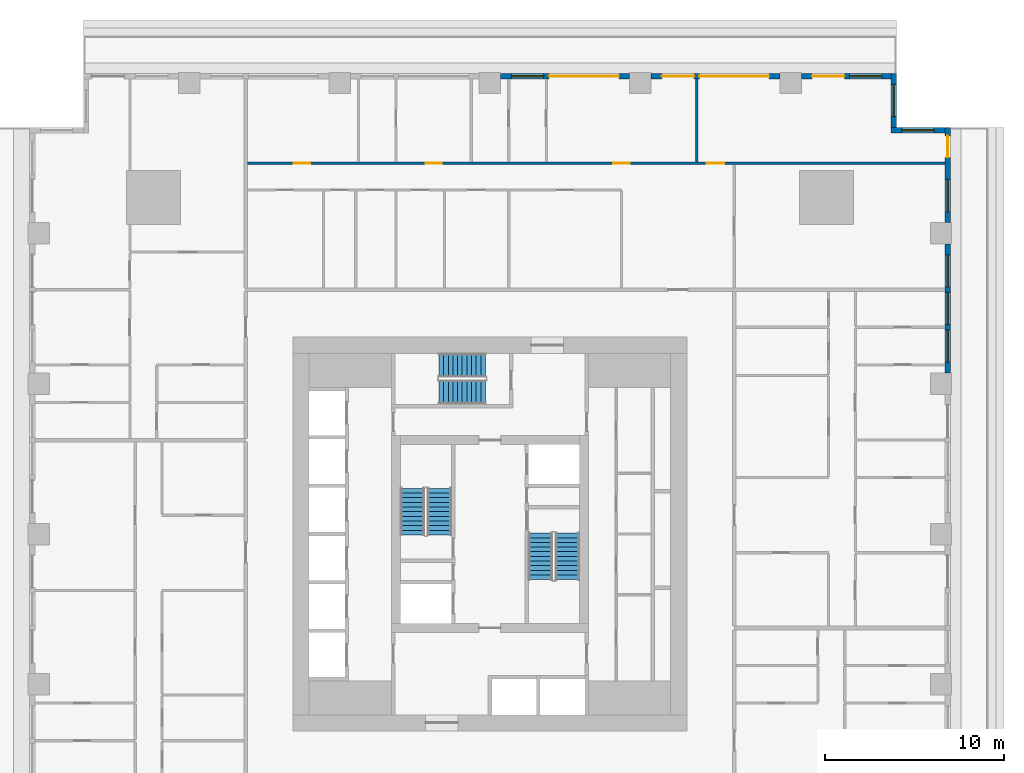
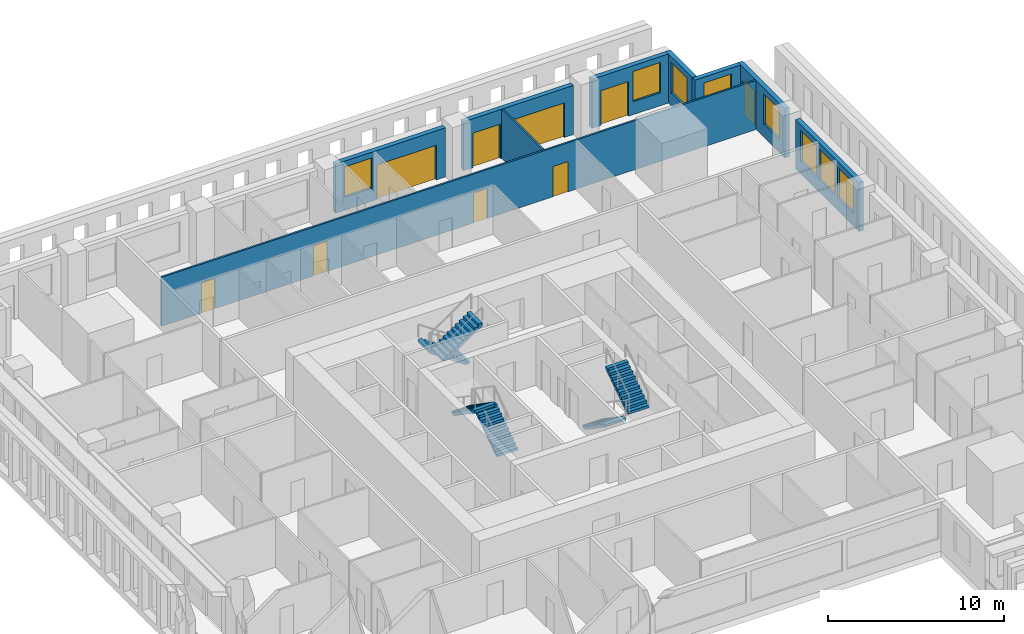
# One storey, part 9 of 14: 9 doors, 9 walls, 8 windows, 6 stair flights, 17 openings, 3 elements without a shape of their own.
"""IFC4 building model written with IfcOpenShell, lengths in metres."""

from ifc_helpers import new_model, si_unit, direction, frame, frame_2d, origin, place, context, subcontext, project, spatial, polyline, rectangle, outline, extrude, material, layer, layer_set, type_object, element, fill, aggregate, save


model = new_model("IFC4")

# Units and contexts
model_context = context("Model", 3, precision=1e-05, world=origin(), true_north=direction((0.0, 1.0)))
body_context = subcontext(model_context, "Body", "Model", "MODEL_VIEW")
ifc_project = project(units=[si_unit("LENGTHUNIT", "METRE"), si_unit("AREAUNIT", "SQUARE_METRE"), si_unit("VOLUMEUNIT", "CUBIC_METRE"), si_unit("PLANEANGLEUNIT", "RADIAN"), si_unit("MASSUNIT", "GRAM", prefix="KILO")], contexts=[model_context])

# Site, building, storey
site_placement = place(None, origin())
site = spatial("IfcSite", under=ifc_project, at=site_placement, CompositionType="ELEMENT")
building_placement = place(site_placement, origin())
building = spatial("IfcBuilding", under=site, at=building_placement, Name="Khepri Terraces", CompositionType="ELEMENT")
storey_placement = place(building_placement, frame((0.0, 0.0, 69.89990234375)))
storey = spatial("IfcBuildingStorey", under=building, at=storey_placement, Name="L16", CompositionType="ELEMENT", Elevation=69.89990234375)

# Wall, openings, windows
ifc_material_1 = material(Name="Precast concrete C50/60 warm stone", Category="masonry")
ifc_layer_1 = layer(ifc_material_1, 0.300048828125, Name="Precast concrete C50/60 warm stone", Category="masonry")
ifc_layer_set_1 = layer_set([ifc_layer_1], Name="Precast concrete C50/60 warm stone")
wall_type_1 = type_object("IfcWallType", Name="WL-EXT-PRECAST-300", PredefinedType="STANDARD", material=ifc_layer_set_1)
wall_1_placement = place(storey_placement, frame((25.570068359375, 9.0, 0.0), z_axis=(0.0, 0.0, 1.0), x_axis=(0.0, 1.0, 0.0)))
wall_1 = element("IfcWall", 1, at=wall_1_placement, inside=storey, type_object=wall_type_1, Name="External wall L16 E", PredefinedType="STANDARD", context=body_context, shape_type="SweptSolid", body=[
    extrude(rectangle(XDim=7.199951171875, YDim=0.300048828125, at=frame_2d((3.60009765625, 0.0))), origin(), (0.0, 0.0, 1.0), 3.400146484375),
])
opening_1_placement = place(wall_1_placement, frame((0.60009765625, 0.0, 0.89990234375)))
opening_1 = element("IfcOpeningElement", 2, at=opening_1_placement, cuts=wall_1, Name="Opening W1", PredefinedType="OPENING", context=body_context, shape_type="SweptSolid", body=[
    extrude(rectangle(XDim=1.800048828125, YDim=2.10009765625, at=frame_2d((0.89990234375, 1.050048828125))), frame((0.0, 0.16015625, 0.0), z_axis=(0.0, -1.0, 0.0), x_axis=(1.0, 0.0, 0.0)), (0.0, 0.0, 1.0), 0.320068359375),
])
opening_2_placement = place(wall_1_placement, frame((2.699951171875, 0.0, 0.89990234375)))
opening_2 = element("IfcOpeningElement", 3, at=opening_2_placement, cuts=wall_1, Name="Opening W1", PredefinedType="OPENING", context=body_context, shape_type="SweptSolid", body=[
    extrude(rectangle(XDim=1.800048828125, YDim=2.10009765625, at=frame_2d((0.89990234375, 1.050048828125))), frame((0.0, 0.16015625, 0.0), z_axis=(0.0, -1.0, 0.0), x_axis=(1.0, 0.0, 0.0)), (0.0, 0.0, 1.0), 0.320068359375),
])
opening_3_placement = place(wall_1_placement, frame((4.800048828125, 0.0, 0.89990234375)))
opening_3 = element("IfcOpeningElement", 4, at=opening_3_placement, cuts=wall_1, Name="Opening W1", PredefinedType="OPENING", context=body_context, shape_type="SweptSolid", body=[
    extrude(rectangle(XDim=1.800048828125, YDim=2.10009765625, at=frame_2d((0.89990234375, 1.050048828125))), frame((0.0, 0.16015625, 0.0), z_axis=(0.0, -1.0, 0.0), x_axis=(1.0, 0.0, 0.0)), (0.0, 0.0, 1.0), 0.320068359375),
])
ifc_material_2 = material(Name="Clear glass", Category="glass")
window_type = type_object("IfcWindowType", Name="WIN-RES-1800x2100", PartitioningType="SINGLE_PANEL", PredefinedType="WINDOW", material=ifc_material_2)
window_1_placement = place(opening_1_placement, origin())
window_1 = element("IfcWindow", 5, at=window_1_placement, inside=storey, type_object=window_type, Name="Window L16 E", OverallHeight=2.10009765625, OverallWidth=1.800048828125, PartitioningType="SINGLE_PANEL", PredefinedType="WINDOW", context=body_context, shape_type="SweptSolid", body=[
    extrude(rectangle(XDim=1.800048828125, YDim=2.10009765625, at=frame_2d((0.89990234375, 1.050048828125))), frame((0.0, 0.030029296875, 0.0), z_axis=(0.0, -1.0, 0.0), x_axis=(1.0, 0.0, 0.0)), (0.0, 0.0, 1.0), 0.06005859375),
])
fill(opening_1, window_1)
window_2_placement = place(opening_2_placement, origin())
window_2 = element("IfcWindow", 6, at=window_2_placement, inside=storey, type_object=window_type, Name="Window L16 E", OverallHeight=2.10009765625, OverallWidth=1.800048828125, PartitioningType="SINGLE_PANEL", PredefinedType="WINDOW", context=body_context, shape_type="SweptSolid", body=[
    extrude(rectangle(XDim=1.800048828125, YDim=2.10009765625, at=frame_2d((0.89990234375, 1.050048828125))), frame((0.0, 0.030029296875, 0.0), z_axis=(0.0, -1.0, 0.0), x_axis=(1.0, 0.0, 0.0)), (0.0, 0.0, 1.0), 0.06005859375),
])
fill(opening_2, window_2)
window_3_placement = place(opening_3_placement, origin())
window_3 = element("IfcWindow", 7, at=window_3_placement, inside=storey, type_object=window_type, Name="Window L16 E", OverallHeight=2.10009765625, OverallWidth=1.800048828125, PartitioningType="SINGLE_PANEL", PredefinedType="WINDOW", context=body_context, shape_type="SweptSolid", body=[
    extrude(rectangle(XDim=1.800048828125, YDim=2.10009765625, at=frame_2d((0.89990234375, 1.050048828125))), frame((0.0, 0.030029296875, 0.0), z_axis=(0.0, -1.0, 0.0), x_axis=(1.0, 0.0, 0.0)), (0.0, 0.0, 1.0), 0.06005859375),
])
fill(opening_3, window_3)

# Wall, openings, door, window
wall_2_placement = place(storey_placement, frame((25.570068359375, 17.39990234375, 0.0), z_axis=(0.0, 0.0, 1.0), x_axis=(0.0, 1.0, 0.0)))
wall_2 = element("IfcWall", 8, at=wall_2_placement, inside=storey, type_object=wall_type_1, Name="External wall L16 E", PredefinedType="STANDARD", context=body_context, shape_type="SweptSolid", body=[
    extrude(rectangle(XDim=5.320068359375, YDim=0.300048828125, at=frame_2d((2.66015625, 0.0))), origin(), (0.0, 0.0, 1.0), 3.400146484375),
])
opening_4_placement = place(wall_2_placement, frame((0.60009765625, 0.0, 0.89990234375)))
opening_4 = element("IfcOpeningElement", 9, at=opening_4_placement, cuts=wall_2, Name="Opening W1", PredefinedType="OPENING", context=body_context, shape_type="SweptSolid", body=[
    extrude(rectangle(XDim=1.800048828125, YDim=2.10009765625, at=frame_2d((0.89990234375, 1.050048828125))), frame((0.0, 0.16015625, 0.0), z_axis=(0.0, -1.0, 0.0), x_axis=(1.0, 0.0, 0.0)), (0.0, 0.0, 1.0), 0.320068359375),
])
opening_5_placement = place(wall_2_placement, frame((3.64501953125, 0.0, 0.0)))
opening_5 = element("IfcOpeningElement", 10, at=opening_5_placement, cuts=wall_2, Name="Opening ED-L16-06", PredefinedType="OPENING", context=body_context, shape_type="SweptSolid", body=[
    extrude(rectangle(XDim=1.199951171875, YDim=2.39990234375, at=frame_2d((0.60009765625, 1.199951171875))), frame((0.0, 0.16015625, 0.0), z_axis=(0.0, -1.0, 0.0), x_axis=(1.0, 0.0, 0.0)), (0.0, 0.0, 1.0), 0.320068359375),
])
ifc_material_3 = material(Name="Anodised aluminium bronze glazed door", Category="aluminium")
door_type_1 = type_object("IfcDoorType", Name="DR-BAL-SLIDE-1200x2400", OperationType="NOTDEFINED", PredefinedType="DOOR", material=ifc_material_3)
door_1_placement = place(opening_5_placement, origin())
door_1 = element("IfcDoor", 11, at=door_1_placement, inside=storey, type_object=door_type_1, Name="Balcony door L16 E", OperationType="SLIDING_TO_RIGHT", OverallHeight=2.39990234375, OverallWidth=1.199951171875, PredefinedType="DOOR", context=body_context, shape_type="SweptSolid", body=[
    extrude(rectangle(XDim=1.199951171875, YDim=2.39990234375, at=frame_2d((0.60009765625, 1.199951171875))), frame((0.0, 0.02490234375, 0.0), z_axis=(0.0, -1.0, 0.0), x_axis=(1.0, 0.0, 0.0)), (0.0, 0.0, 1.0), 0.050048828125),
])
fill(opening_5, door_1)
window_4_placement = place(opening_4_placement, origin())
window_4 = element("IfcWindow", 12, at=window_4_placement, inside=storey, type_object=window_type, Name="Window L16 E", OverallHeight=2.10009765625, OverallWidth=1.800048828125, PartitioningType="SINGLE_PANEL", PredefinedType="WINDOW", context=body_context, shape_type="SweptSolid", body=[
    extrude(rectangle(XDim=1.800048828125, YDim=2.10009765625, at=frame_2d((0.89990234375, 1.050048828125))), frame((0.0, 0.030029296875, 0.0), z_axis=(0.0, -1.0, 0.0), x_axis=(1.0, 0.0, 0.0)), (0.0, 0.0, 1.0), 0.06005859375),
])
fill(opening_4, window_4)

# Wall, opening, window
wall_3_placement = place(storey_placement, frame((25.419921875, 22.570068359375, 0.0), z_axis=(0.0, 0.0, 1.0), x_axis=(-1.0, 0.0, 0.0)))
wall_3 = element("IfcWall", 13, at=wall_3_placement, inside=storey, type_object=wall_type_1, Name="External wall L16 N", PredefinedType="STANDARD", context=body_context, shape_type="SweptSolid", body=[
    extrude(rectangle(XDim=3.0, YDim=0.300048828125, at=frame_2d((1.5, 0.0))), origin(), (0.0, 0.0, 1.0), 3.400146484375),
])
opening_6_placement = place(wall_3_placement, frame((0.60009765625, 0.0, 0.89990234375)))
opening_6 = element("IfcOpeningElement", 14, at=opening_6_placement, cuts=wall_3, Name="Opening W1", PredefinedType="OPENING", context=body_context, shape_type="SweptSolid", body=[
    extrude(rectangle(XDim=1.800048828125, YDim=2.10009765625, at=frame_2d((0.89990234375, 1.050048828125))), frame((0.0, 0.16015625, 0.0), z_axis=(0.0, -1.0, 0.0), x_axis=(1.0, 0.0, 0.0)), (0.0, 0.0, 1.0), 0.320068359375),
])
window_5_placement = place(opening_6_placement, origin())
window_5 = element("IfcWindow", 15, at=window_5_placement, inside=storey, type_object=window_type, Name="Window L16 N", OverallHeight=2.10009765625, OverallWidth=1.800048828125, PartitioningType="SINGLE_PANEL", PredefinedType="WINDOW", context=body_context, shape_type="SweptSolid", body=[
    extrude(rectangle(XDim=1.800048828125, YDim=2.10009765625, at=frame_2d((0.89990234375, 1.050048828125))), frame((0.0, 0.030029296875, 0.0), z_axis=(0.0, -1.0, 0.0), x_axis=(1.0, 0.0, 0.0)), (0.0, 0.0, 1.0), 0.06005859375),
])
fill(opening_6, window_5)

wall_4_placement = place(storey_placement, frame((22.570068359375, 22.719970703125, 0.0), z_axis=(0.0, 0.0, 1.0), x_axis=(0.0, 1.0, 0.0)))
wall_4 = element("IfcWall", 16, at=wall_4_placement, inside=storey, type_object=wall_type_1, Name="External wall L16 E", PredefinedType="STANDARD", context=body_context, shape_type="SweptSolid", body=[
    extrude(rectangle(XDim=3.0, YDim=0.300048828125, at=frame_2d((1.5, 0.0))), origin(), (0.0, 0.0, 1.0), 3.400146484375),
])
opening_7_placement = place(wall_4_placement, frame((0.60009765625, 0.0, 0.89990234375)))
opening_7 = element("IfcOpeningElement", 17, at=opening_7_placement, cuts=wall_4, Name="Opening W1", PredefinedType="OPENING", context=body_context, shape_type="SweptSolid", body=[
    extrude(rectangle(XDim=1.800048828125, YDim=2.10009765625, at=frame_2d((0.89990234375, 1.050048828125))), frame((0.0, 0.16015625, 0.0), z_axis=(0.0, -1.0, 0.0), x_axis=(1.0, 0.0, 0.0)), (0.0, 0.0, 1.0), 0.320068359375),
])
window_6_placement = place(opening_7_placement, origin())
window_6 = element("IfcWindow", 18, at=window_6_placement, inside=storey, type_object=window_type, Name="Window L16 E", OverallHeight=2.10009765625, OverallWidth=1.800048828125, PartitioningType="SINGLE_PANEL", PredefinedType="WINDOW", context=body_context, shape_type="SweptSolid", body=[
    extrude(rectangle(XDim=1.800048828125, YDim=2.10009765625, at=frame_2d((0.89990234375, 1.050048828125))), frame((0.0, 0.030029296875, 0.0), z_axis=(0.0, -1.0, 0.0), x_axis=(1.0, 0.0, 0.0)), (0.0, 0.0, 1.0), 0.06005859375),
])
fill(opening_7, window_6)

# Wall, openings, door, window
wall_5_placement = place(storey_placement, frame((22.419921875, 25.570068359375, 0.0), z_axis=(0.0, 0.0, 1.0), x_axis=(-1.0, 0.0, 0.0)))
wall_5 = element("IfcWall", 19, at=wall_5_placement, inside=storey, type_object=wall_type_1, Name="External wall L16 N", PredefinedType="STANDARD", context=body_context, shape_type="SweptSolid", body=[
    extrude(rectangle(XDim=5.02001953125, YDim=0.300048828125, at=frame_2d((2.510009765625, 0.0))), origin(), (0.0, 0.0, 1.0), 3.400146484375),
])
opening_8_placement = place(wall_5_placement, frame((0.52001953125, 0.0, 0.89990234375)))
opening_8 = element("IfcOpeningElement", 20, at=opening_8_placement, cuts=wall_5, Name="Opening W1", PredefinedType="OPENING", context=body_context, shape_type="SweptSolid", body=[
    extrude(rectangle(XDim=1.800048828125, YDim=2.10009765625, at=frame_2d((0.89990234375, 1.050048828125))), frame((0.0, 0.16015625, 0.0), z_axis=(0.0, -1.0, 0.0), x_axis=(1.0, 0.0, 0.0)), (0.0, 0.0, 1.0), 0.320068359375),
])
opening_9_placement = place(wall_5_placement, frame((2.6201171875, 0.0, 0.0)))
opening_9 = element("IfcOpeningElement", 21, at=opening_9_placement, cuts=wall_5, Name="Opening ED-L16-07", PredefinedType="OPENING", context=body_context, shape_type="SweptSolid", body=[
    extrude(rectangle(XDim=1.800048828125, YDim=2.39990234375, at=frame_2d((0.89990234375, 1.199951171875))), frame((0.0, 0.16015625, 0.0), z_axis=(0.0, -1.0, 0.0), x_axis=(1.0, 0.0, 0.0)), (0.0, 0.0, 1.0), 0.320068359375),
])
door_type_2 = type_object("IfcDoorType", Name="DR-BAL-SLIDE-1800x2400", OperationType="NOTDEFINED", PredefinedType="DOOR", material=ifc_material_3)
door_2_placement = place(opening_9_placement, origin())
door_2 = element("IfcDoor", 22, at=door_2_placement, inside=storey, type_object=door_type_2, Name="Balcony door L16 N", OperationType="SLIDING_TO_RIGHT", OverallHeight=2.39990234375, OverallWidth=1.800048828125, PredefinedType="DOOR", context=body_context, shape_type="SweptSolid", body=[
    extrude(rectangle(XDim=1.800048828125, YDim=2.39990234375, at=frame_2d((0.89990234375, 1.199951171875))), frame((0.0, 0.02490234375, 0.0), z_axis=(0.0, -1.0, 0.0), x_axis=(1.0, 0.0, 0.0)), (0.0, 0.0, 1.0), 0.050048828125),
])
fill(opening_9, door_2)
window_7_placement = place(opening_8_placement, origin())
window_7 = element("IfcWindow", 23, at=window_7_placement, inside=storey, type_object=window_type, Name="Window L16 N", OverallHeight=2.10009765625, OverallWidth=1.800048828125, PartitioningType="SINGLE_PANEL", PredefinedType="WINDOW", context=body_context, shape_type="SweptSolid", body=[
    extrude(rectangle(XDim=1.800048828125, YDim=2.10009765625, at=frame_2d((0.89990234375, 1.050048828125))), frame((0.0, 0.030029296875, 0.0), z_axis=(0.0, -1.0, 0.0), x_axis=(1.0, 0.0, 0.0)), (0.0, 0.0, 1.0), 0.06005859375),
])
fill(opening_8, window_7)

# Wall, openings, doors
wall_6_placement = place(storey_placement, frame((16.199951171875, 25.570068359375, 0.0), z_axis=(0.0, 0.0, 1.0), x_axis=(-1.0, 0.0, 0.0)))
wall_6 = element("IfcWall", 24, at=wall_6_placement, inside=storey, type_object=wall_type_1, Name="External wall L16 N", PredefinedType="STANDARD", context=body_context, shape_type="SweptSolid", body=[
    extrude(rectangle(XDim=7.199951171875, YDim=0.300048828125, at=frame_2d((3.60009765625, 0.0))), origin(), (0.0, 0.0, 1.0), 3.400146484375),
])
opening_10_placement = place(wall_6_placement, frame((0.60009765625, 0.0, 0.0)))
opening_10 = element("IfcOpeningElement", 25, at=opening_10_placement, cuts=wall_6, Name="Opening ED-L16-08", PredefinedType="OPENING", context=body_context, shape_type="SweptSolid", body=[
    extrude(rectangle(XDim=3.89990234375, YDim=2.39990234375, at=frame_2d((1.949951171875, 1.199951171875))), frame((0.0, 0.16015625, 0.0), z_axis=(0.0, -1.0, 0.0), x_axis=(1.0, 0.0, 0.0)), (0.0, 0.0, 1.0), 0.320068359375),
])
opening_11_placement = place(wall_6_placement, frame((4.800048828125, 0.0, 0.0)))
opening_11 = element("IfcOpeningElement", 26, at=opening_11_placement, cuts=wall_6, Name="Opening ED-L16-09", PredefinedType="OPENING", context=body_context, shape_type="SweptSolid", body=[
    extrude(rectangle(XDim=1.800048828125, YDim=2.39990234375, at=frame_2d((0.89990234375, 1.199951171875))), frame((0.0, 0.16015625, 0.0), z_axis=(0.0, -1.0, 0.0), x_axis=(1.0, 0.0, 0.0)), (0.0, 0.0, 1.0), 0.320068359375),
])
door_3_placement = place(opening_11_placement, origin())
door_3 = element("IfcDoor", 27, at=door_3_placement, inside=storey, type_object=door_type_2, Name="Balcony door L16 N", OperationType="SLIDING_TO_RIGHT", OverallHeight=2.39990234375, OverallWidth=1.800048828125, PredefinedType="DOOR", context=body_context, shape_type="SweptSolid", body=[
    extrude(rectangle(XDim=1.800048828125, YDim=2.39990234375, at=frame_2d((0.89990234375, 1.199951171875))), frame((0.0, 0.02490234375, 0.0), z_axis=(0.0, -1.0, 0.0), x_axis=(1.0, 0.0, 0.0)), (0.0, 0.0, 1.0), 0.050048828125),
])
fill(opening_11, door_3)
door_type_3 = type_object("IfcDoorType", Name="DR-BAL-SLIDE-3900x2400", OperationType="NOTDEFINED", PredefinedType="DOOR", material=ifc_material_3)
door_4_placement = place(opening_10_placement, origin())
door_4 = element("IfcDoor", 28, at=door_4_placement, inside=storey, type_object=door_type_3, Name="Balcony door L16 N", OperationType="SLIDING_TO_LEFT", OverallHeight=2.39990234375, OverallWidth=3.89990234375, PredefinedType="DOOR", context=body_context, shape_type="SweptSolid", body=[
    extrude(rectangle(XDim=3.89990234375, YDim=2.39990234375, at=frame_2d((1.949951171875, 1.199951171875))), frame((0.0, 0.02490234375, 0.0), z_axis=(0.0, -1.0, 0.0), x_axis=(1.0, 0.0, 0.0)), (0.0, 0.0, 1.0), 0.050048828125),
])
fill(opening_10, door_4)

# Wall, openings, door, window
wall_7_placement = place(storey_placement, frame((7.800048828125, 25.570068359375, 0.0), z_axis=(0.0, 0.0, 1.0), x_axis=(-1.0, 0.0, 0.0)))
wall_7 = element("IfcWall", 29, at=wall_7_placement, inside=storey, type_object=wall_type_1, Name="External wall L16 N", PredefinedType="STANDARD", context=body_context, shape_type="SweptSolid", body=[
    extrude(rectangle(XDim=7.199951171875, YDim=0.300048828125, at=frame_2d((3.60009765625, 0.0))), origin(), (0.0, 0.0, 1.0), 3.400146484375),
])
opening_12_placement = place(wall_7_placement, frame((0.60009765625, 0.0, 0.0)))
opening_12 = element("IfcOpeningElement", 30, at=opening_12_placement, cuts=wall_7, Name="Opening ED-L16-10", PredefinedType="OPENING", context=body_context, shape_type="SweptSolid", body=[
    extrude(rectangle(XDim=3.89990234375, YDim=2.39990234375, at=frame_2d((1.949951171875, 1.199951171875))), frame((0.0, 0.16015625, 0.0), z_axis=(0.0, -1.0, 0.0), x_axis=(1.0, 0.0, 0.0)), (0.0, 0.0, 1.0), 0.320068359375),
])
opening_13_placement = place(wall_7_placement, frame((4.800048828125, 0.0, 0.89990234375)))
opening_13 = element("IfcOpeningElement", 31, at=opening_13_placement, cuts=wall_7, Name="Opening W1", PredefinedType="OPENING", context=body_context, shape_type="SweptSolid", body=[
    extrude(rectangle(XDim=1.800048828125, YDim=2.10009765625, at=frame_2d((0.89990234375, 1.050048828125))), frame((0.0, 0.16015625, 0.0), z_axis=(0.0, -1.0, 0.0), x_axis=(1.0, 0.0, 0.0)), (0.0, 0.0, 1.0), 0.320068359375),
])
door_5_placement = place(opening_12_placement, origin())
door_5 = element("IfcDoor", 32, at=door_5_placement, inside=storey, type_object=door_type_3, Name="Balcony door L16 N", OperationType="SLIDING_TO_LEFT", OverallHeight=2.39990234375, OverallWidth=3.89990234375, PredefinedType="DOOR", context=body_context, shape_type="SweptSolid", body=[
    extrude(rectangle(XDim=3.89990234375, YDim=2.39990234375, at=frame_2d((1.949951171875, 1.199951171875))), frame((0.0, 0.02490234375, 0.0), z_axis=(0.0, -1.0, 0.0), x_axis=(1.0, 0.0, 0.0)), (0.0, 0.0, 1.0), 0.050048828125),
])
fill(opening_12, door_5)
window_8_placement = place(opening_13_placement, origin())
window_8 = element("IfcWindow", 33, at=window_8_placement, inside=storey, type_object=window_type, Name="Window L16 N", OverallHeight=2.10009765625, OverallWidth=1.800048828125, PartitioningType="SINGLE_PANEL", PredefinedType="WINDOW", context=body_context, shape_type="SweptSolid", body=[
    extrude(rectangle(XDim=1.800048828125, YDim=2.10009765625, at=frame_2d((0.89990234375, 1.050048828125))), frame((0.0, 0.030029296875, 0.0), z_axis=(0.0, -1.0, 0.0), x_axis=(1.0, 0.0, 0.0)), (0.0, 0.0, 1.0), 0.06005859375),
])
fill(opening_13, window_8)

# Wall, openings, doors
ifc_material_4 = material(Name="Gypsum plasterboard partition")
ifc_layer_2 = layer(ifc_material_4, 0.1201171875, Name="Gypsum plasterboard partition")
ifc_layer_set_2 = layer_set([ifc_layer_2], Name="Gypsum plasterboard partition")
wall_type_2 = type_object("IfcWallType", Name="WL-PART-120", PredefinedType="PARTITIONING", material=ifc_layer_set_2)
wall_8_placement = place(storey_placement, frame((-13.550048828125, 20.719970703125, 0.0), z_axis=(0.0, 0.0, 1.0), x_axis=(1.0, 0.0, 0.0)))
wall_8 = element("IfcWall", 34, at=wall_8_placement, inside=storey, type_object=wall_type_2, Name="Partition P-093 L16", PredefinedType="PARTITIONING", context=body_context, shape_type="SweptSolid", body=[
    extrude(rectangle(XDim=38.969970703125, YDim=0.1201171875, at=frame_2d((19.48486328125, 0.0))), origin(), (0.0, 0.0, 1.0), 3.400146484375),
])
opening_14_placement = place(wall_8_placement, frame((25.64990234375, 0.0, 0.0)))
opening_14 = element("IfcOpeningElement", 35, at=opening_14_placement, cuts=wall_8, Name="Opening D2", PredefinedType="OPENING", context=body_context, shape_type="SweptSolid", body=[
    extrude(rectangle(XDim=1.0, YDim=2.10009765625, at=frame_2d((0.5, 1.050048828125))), frame((0.0, 0.070068359375, 0.0), z_axis=(0.0, -1.0, 0.0), x_axis=(1.0, 0.0, 0.0)), (0.0, 0.0, 1.0), 0.14013671875),
])
opening_15_placement = place(wall_8_placement, frame((20.449951171875, 0.0, 0.0)))
opening_15 = element("IfcOpeningElement", 36, at=opening_15_placement, cuts=wall_8, Name="Opening D3", PredefinedType="OPENING", context=body_context, shape_type="SweptSolid", body=[
    extrude(rectangle(XDim=0.89990234375, YDim=2.10009765625, at=frame_2d((0.449951171875, 1.050048828125))), frame((0.0, 0.070068359375, 0.0), z_axis=(0.0, -1.0, 0.0), x_axis=(1.0, 0.0, 0.0)), (0.0, 0.0, 1.0), 0.14013671875),
])
opening_16_placement = place(wall_8_placement, frame((9.949951171875, 0.0, 0.0)))
opening_16 = element("IfcOpeningElement", 37, at=opening_16_placement, cuts=wall_8, Name="Opening D3", PredefinedType="OPENING", context=body_context, shape_type="SweptSolid", body=[
    extrude(rectangle(XDim=0.89990234375, YDim=2.10009765625, at=frame_2d((0.449951171875, 1.050048828125))), frame((0.0, 0.070068359375, 0.0), z_axis=(0.0, -1.0, 0.0), x_axis=(1.0, 0.0, 0.0)), (0.0, 0.0, 1.0), 0.14013671875),
])
opening_17_placement = place(wall_8_placement, frame((2.60009765625, 0.0, 0.0)))
opening_17 = element("IfcOpeningElement", 38, at=opening_17_placement, cuts=wall_8, Name="Opening D3", PredefinedType="OPENING", context=body_context, shape_type="SweptSolid", body=[
    extrude(rectangle(XDim=0.89990234375, YDim=2.10009765625, at=frame_2d((0.449951171875, 1.050048828125))), frame((0.0, 0.070068359375, 0.0), z_axis=(0.0, -1.0, 0.0), x_axis=(1.0, 0.0, 0.0)), (0.0, 0.0, 1.0), 0.14013671875),
])
ifc_material_5 = material(Name="Timber door leaf, living room door", Category="wood")
door_type_4 = type_object("IfcDoorType", Name="DR-INT-1000", OperationType="NOTDEFINED", PredefinedType="DOOR", material=ifc_material_5)
door_6_placement = place(opening_14_placement, origin())
door_6 = element("IfcDoor", 39, at=door_6_placement, inside=storey, type_object=door_type_4, Name="Door Living Room", OperationType="SINGLE_SWING_RIGHT", OverallHeight=2.10009765625, OverallWidth=1.0, PredefinedType="DOOR", context=body_context, shape_type="SweptSolid", body=[
    extrude(rectangle(XDim=1.0, YDim=2.10009765625, at=frame_2d((0.5, 1.050048828125))), frame((0.0, 0.02490234375, 0.0), z_axis=(0.0, -1.0, 0.0), x_axis=(1.0, 0.0, 0.0)), (0.0, 0.0, 1.0), 0.050048828125),
])
fill(opening_14, door_6)
ifc_material_6 = material(Name="Timber door leaf", Category="wood")
door_type_5 = type_object("IfcDoorType", Name="DR-INT-900", OperationType="NOTDEFINED", PredefinedType="DOOR", material=ifc_material_6)
door_7_placement = place(opening_15_placement, origin())
door_7 = element("IfcDoor", 40, at=door_7_placement, inside=storey, type_object=door_type_5, Name="Door Master Bedroom", OperationType="SINGLE_SWING_RIGHT", OverallHeight=2.10009765625, OverallWidth=0.89990234375, PredefinedType="DOOR", context=body_context, shape_type="SweptSolid", body=[
    extrude(rectangle(XDim=0.89990234375, YDim=2.10009765625, at=frame_2d((0.449951171875, 1.050048828125))), frame((0.0, 0.02490234375, 0.0), z_axis=(0.0, -1.0, 0.0), x_axis=(1.0, 0.0, 0.0)), (0.0, 0.0, 1.0), 0.050048828125),
])
fill(opening_15, door_7)
door_8_placement = place(opening_16_placement, origin())
door_8 = element("IfcDoor", 41, at=door_8_placement, inside=storey, type_object=door_type_5, Name="Door Bedroom", OperationType="SINGLE_SWING_LEFT", OverallHeight=2.10009765625, OverallWidth=0.89990234375, PredefinedType="DOOR", context=body_context, shape_type="SweptSolid", body=[
    extrude(rectangle(XDim=0.89990234375, YDim=2.10009765625, at=frame_2d((0.449951171875, 1.050048828125))), frame((0.0, 0.02490234375, 0.0), z_axis=(0.0, -1.0, 0.0), x_axis=(1.0, 0.0, 0.0)), (0.0, 0.0, 1.0), 0.050048828125),
])
fill(opening_16, door_8)
door_9_placement = place(opening_17_placement, origin())
door_9 = element("IfcDoor", 42, at=door_9_placement, inside=storey, type_object=door_type_5, Name="Door Home Gym", OperationType="SINGLE_SWING_LEFT", OverallHeight=2.10009765625, OverallWidth=0.89990234375, PredefinedType="DOOR", context=body_context, shape_type="SweptSolid", body=[
    extrude(rectangle(XDim=0.89990234375, YDim=2.10009765625, at=frame_2d((0.449951171875, 1.050048828125))), frame((0.0, 0.02490234375, 0.0), z_axis=(0.0, -1.0, 0.0), x_axis=(1.0, 0.0, 0.0)), (0.0, 0.0, 1.0), 0.050048828125),
])
fill(opening_17, door_9)

# Wall
wall_9_placement = place(storey_placement, frame((11.550048828125, 20.780029296875, 0.0), z_axis=(0.0, 0.0, 1.0), x_axis=(0.0, 1.0, 0.0)))
element("IfcWall", 43, at=wall_9_placement, inside=storey, type_object=wall_type_2, Name="Partition P-099 L16", PredefinedType="PARTITIONING", context=body_context, shape_type="SweptSolid", body=[
    extrude(rectangle(XDim=4.639892578125, YDim=0.1201171875, at=frame_2d((2.31982421875, 0.0))), origin(), (0.0, 0.0, 1.0), 3.400146484375),
])

# Stair, stair flights
ifc_material_7 = material(Name="Concrete C40/50", Category="concrete")
stair_type = type_object("IfcStairType", Name="STAIR-RC-22R", PredefinedType="HALF_TURN_STAIR", material=ifc_material_7)
stair_1_placement = place(storey_placement, origin())
stair_1 = element("IfcStair", 44, at=stair_1_placement, inside=storey, type_object=stair_type, Name="L16 Exit Stair ST-1", PredefinedType="HALF_TURN_STAIR")
stair_flight_type = type_object("IfcStairFlightType", Name="SFL-RC-177.3", PredefinedType="STRAIGHT", material=ifc_material_7)
stair_flight_1_placement = place(storey_placement, frame((-2.824951171875, -0.050048828125, 0.0), z_axis=(0.0, 0.0, 1.0), x_axis=(0.0, 1.0, 0.0)))
stair_flight_1 = element("IfcStairFlight", 45, at=stair_flight_1_placement, type_object=stair_flight_type, Name="ST-1 flight 1", NumberOfRisers=11, NumberOfTreads=10, PredefinedType="STRAIGHT", RiserHeight=0.177272727, TreadLength=0.26, context=body_context, shape_type="SweptSolid", body=[
    extrude(outline(polyline([(0.0, 0.0), (0.0, 0.17724609375), (0.260009765625, 0.17724609375), (0.260009765625, 0.3544921875), (0.52001953125, 0.3544921875), (0.52001953125, 0.53173828125), (0.780029296875, 0.53173828125), (0.780029296875, 0.708984375), (1.0400390625, 0.708984375), (1.0400390625, 0.886474609375), (1.300048828125, 0.886474609375), (1.300048828125, 1.063720703125), (1.56005859375, 1.063720703125), (1.56005859375, 1.240966796875), (1.820068359375, 1.240966796875), (1.820068359375, 1.418212890625), (2.080078125, 1.418212890625), (2.080078125, 1.595458984375), (2.340087890625, 1.595458984375), (2.340087890625, 1.772705078125), (2.60009765625, 1.772705078125), (2.60009765625, 1.949951171875), (2.60009765625, 1.59130859375), (0.26611328125, 0.0), (0.0, 0.0)])), frame((0.0, 0.675048828125, 0.0), z_axis=(0.0, -1.0, 0.0), x_axis=(1.0, 0.0, 0.0)), (0.0, 0.0, 1.0), 1.35009765625),
])
stair_flight_2_placement = place(storey_placement, frame((-4.324951171875, 2.550048828125, 1.9501953125), z_axis=(0.0, 0.0, 1.0), x_axis=(0.0, -1.0, 0.0)))
stair_flight_2 = element("IfcStairFlight", 46, at=stair_flight_2_placement, type_object=stair_flight_type, Name="ST-1 flight 2", NumberOfRisers=11, NumberOfTreads=10, PredefinedType="STRAIGHT", RiserHeight=0.177272727, TreadLength=0.26, context=body_context, shape_type="SweptSolid", body=[
    extrude(outline(polyline([(0.0, 0.0), (0.0, 0.17724609375), (0.260009765625, 0.17724609375), (0.260009765625, 0.3544921875), (0.52001953125, 0.3544921875), (0.52001953125, 0.53173828125), (0.780029296875, 0.53173828125), (0.780029296875, 0.708984375), (1.0400390625, 0.708984375), (1.0400390625, 0.886474609375), (1.300048828125, 0.886474609375), (1.300048828125, 1.063720703125), (1.56005859375, 1.063720703125), (1.56005859375, 1.240966796875), (1.820068359375, 1.240966796875), (1.820068359375, 1.418212890625), (2.080078125, 1.418212890625), (2.080078125, 1.595458984375), (2.340087890625, 1.595458984375), (2.340087890625, 1.772705078125), (2.60009765625, 1.772705078125), (2.60009765625, 1.949951171875), (2.60009765625, 1.59130859375), (0.26611328125, 0.0), (0.0, 0.0)])), frame((0.0, 0.675048828125, 0.0), z_axis=(0.0, -1.0, 0.0), x_axis=(1.0, 0.0, 0.0)), (0.0, 0.0, 1.0), 1.35009765625),
])
aggregate(stair_1, [stair_flight_1, stair_flight_2])

stair_2_placement = place(storey_placement, origin())
stair_2 = element("IfcStair", 47, at=stair_2_placement, inside=storey, type_object=stair_type, Name="L16 Exit Stair ST-2", PredefinedType="HALF_TURN_STAIR")
stair_flight_3_placement = place(storey_placement, frame((2.824951171875, 0.050048828125, 0.0), z_axis=(0.0, 0.0, 1.0), x_axis=(0.0, -1.0, 0.0)))
stair_flight_3 = element("IfcStairFlight", 48, at=stair_flight_3_placement, type_object=stair_flight_type, Name="ST-2 flight 1", NumberOfRisers=11, NumberOfTreads=10, PredefinedType="STRAIGHT", RiserHeight=0.177272727, TreadLength=0.26, context=body_context, shape_type="SweptSolid", body=[
    extrude(outline(polyline([(0.0, 0.0), (0.0, 0.17724609375), (0.260009765625, 0.17724609375), (0.260009765625, 0.3544921875), (0.52001953125, 0.3544921875), (0.52001953125, 0.53173828125), (0.780029296875, 0.53173828125), (0.780029296875, 0.708984375), (1.0400390625, 0.708984375), (1.0400390625, 0.886474609375), (1.300048828125, 0.886474609375), (1.300048828125, 1.063720703125), (1.56005859375, 1.063720703125), (1.56005859375, 1.240966796875), (1.820068359375, 1.240966796875), (1.820068359375, 1.418212890625), (2.080078125, 1.418212890625), (2.080078125, 1.595458984375), (2.340087890625, 1.595458984375), (2.340087890625, 1.772705078125), (2.60009765625, 1.772705078125), (2.60009765625, 1.949951171875), (2.60009765625, 1.59130859375), (0.26611328125, 0.0), (0.0, 0.0)])), frame((0.0, 0.675048828125, 0.0), z_axis=(0.0, -1.0, 0.0), x_axis=(1.0, 0.0, 0.0)), (0.0, 0.0, 1.0), 1.35009765625),
])
stair_flight_4_placement = place(storey_placement, frame((4.324951171875, -2.550048828125, 1.9501953125), z_axis=(0.0, 0.0, 1.0), x_axis=(0.0, 1.0, 0.0)))
stair_flight_4 = element("IfcStairFlight", 49, at=stair_flight_4_placement, type_object=stair_flight_type, Name="ST-2 flight 2", NumberOfRisers=11, NumberOfTreads=10, PredefinedType="STRAIGHT", RiserHeight=0.177272727, TreadLength=0.26, context=body_context, shape_type="SweptSolid", body=[
    extrude(outline(polyline([(0.0, 0.0), (0.0, 0.17724609375), (0.260009765625, 0.17724609375), (0.260009765625, 0.3544921875), (0.52001953125, 0.3544921875), (0.52001953125, 0.53173828125), (0.780029296875, 0.53173828125), (0.780029296875, 0.708984375), (1.0400390625, 0.708984375), (1.0400390625, 0.886474609375), (1.300048828125, 0.886474609375), (1.300048828125, 1.063720703125), (1.56005859375, 1.063720703125), (1.56005859375, 1.240966796875), (1.820068359375, 1.240966796875), (1.820068359375, 1.418212890625), (2.080078125, 1.418212890625), (2.080078125, 1.595458984375), (2.340087890625, 1.595458984375), (2.340087890625, 1.772705078125), (2.60009765625, 1.772705078125), (2.60009765625, 1.949951171875), (2.60009765625, 1.59130859375), (0.26611328125, 0.0), (0.0, 0.0)])), frame((0.0, 0.675048828125, 0.0), z_axis=(0.0, -1.0, 0.0), x_axis=(1.0, 0.0, 0.0)), (0.0, 0.0, 1.0), 1.35009765625),
])
aggregate(stair_2, [stair_flight_3, stair_flight_4])

stair_3_placement = place(storey_placement, origin())
stair_3 = element("IfcStair", 50, at=stair_3_placement, inside=storey, type_object=stair_type, Name="L16 Exit Stair ST-3", PredefinedType="HALF_TURN_STAIR")
stair_flight_5_placement = place(storey_placement, frame((-0.25, 9.425048828125, 0.0), z_axis=(0.0, 0.0, 1.0), x_axis=(-1.0, 0.0, 0.0)))
stair_flight_5 = element("IfcStairFlight", 51, at=stair_flight_5_placement, type_object=stair_flight_type, Name="ST-3 flight 1", NumberOfRisers=11, NumberOfTreads=10, PredefinedType="STRAIGHT", RiserHeight=0.177272727, TreadLength=0.26, context=body_context, shape_type="SweptSolid", body=[
    extrude(outline(polyline([(0.0, 0.0), (0.0, 0.17724609375), (0.260009765625, 0.17724609375), (0.260009765625, 0.3544921875), (0.52001953125, 0.3544921875), (0.52001953125, 0.53173828125), (0.780029296875, 0.53173828125), (0.780029296875, 0.708984375), (1.0400390625, 0.708984375), (1.0400390625, 0.886474609375), (1.300048828125, 0.886474609375), (1.300048828125, 1.063720703125), (1.56005859375, 1.063720703125), (1.56005859375, 1.240966796875), (1.820068359375, 1.240966796875), (1.820068359375, 1.418212890625), (2.080078125, 1.418212890625), (2.080078125, 1.595458984375), (2.340087890625, 1.595458984375), (2.340087890625, 1.772705078125), (2.60009765625, 1.772705078125), (2.60009765625, 1.949951171875), (2.60009765625, 1.59130859375), (0.26611328125, 0.0), (0.0, 0.0)])), frame((0.0, 0.675048828125, 0.0), z_axis=(0.0, -1.0, 0.0), x_axis=(1.0, 0.0, 0.0)), (0.0, 0.0, 1.0), 1.35009765625),
])
stair_flight_6_placement = place(storey_placement, frame((-2.85009765625, 7.925048828125, 1.9501953125), z_axis=(0.0, 0.0, 1.0), x_axis=(1.0, 0.0, 0.0)))
stair_flight_6 = element("IfcStairFlight", 52, at=stair_flight_6_placement, type_object=stair_flight_type, Name="ST-3 flight 2", NumberOfRisers=11, NumberOfTreads=10, PredefinedType="STRAIGHT", RiserHeight=0.177272727, TreadLength=0.26, context=body_context, shape_type="SweptSolid", body=[
    extrude(outline(polyline([(0.0, 0.0), (0.0, 0.17724609375), (0.260009765625, 0.17724609375), (0.260009765625, 0.3544921875), (0.52001953125, 0.3544921875), (0.52001953125, 0.53173828125), (0.780029296875, 0.53173828125), (0.780029296875, 0.708984375), (1.0400390625, 0.708984375), (1.0400390625, 0.886474609375), (1.300048828125, 0.886474609375), (1.300048828125, 1.063720703125), (1.56005859375, 1.063720703125), (1.56005859375, 1.240966796875), (1.820068359375, 1.240966796875), (1.820068359375, 1.418212890625), (2.080078125, 1.418212890625), (2.080078125, 1.595458984375), (2.340087890625, 1.595458984375), (2.340087890625, 1.772705078125), (2.60009765625, 1.772705078125), (2.60009765625, 1.949951171875), (2.60009765625, 1.59130859375), (0.26611328125, 0.0), (0.0, 0.0)])), frame((0.0, 0.675048828125, 0.0), z_axis=(0.0, -1.0, 0.0), x_axis=(1.0, 0.0, 0.0)), (0.0, 0.0, 1.0), 1.35009765625),
])
aggregate(stair_3, [stair_flight_5, stair_flight_6])

save(model, "model.ifc")
